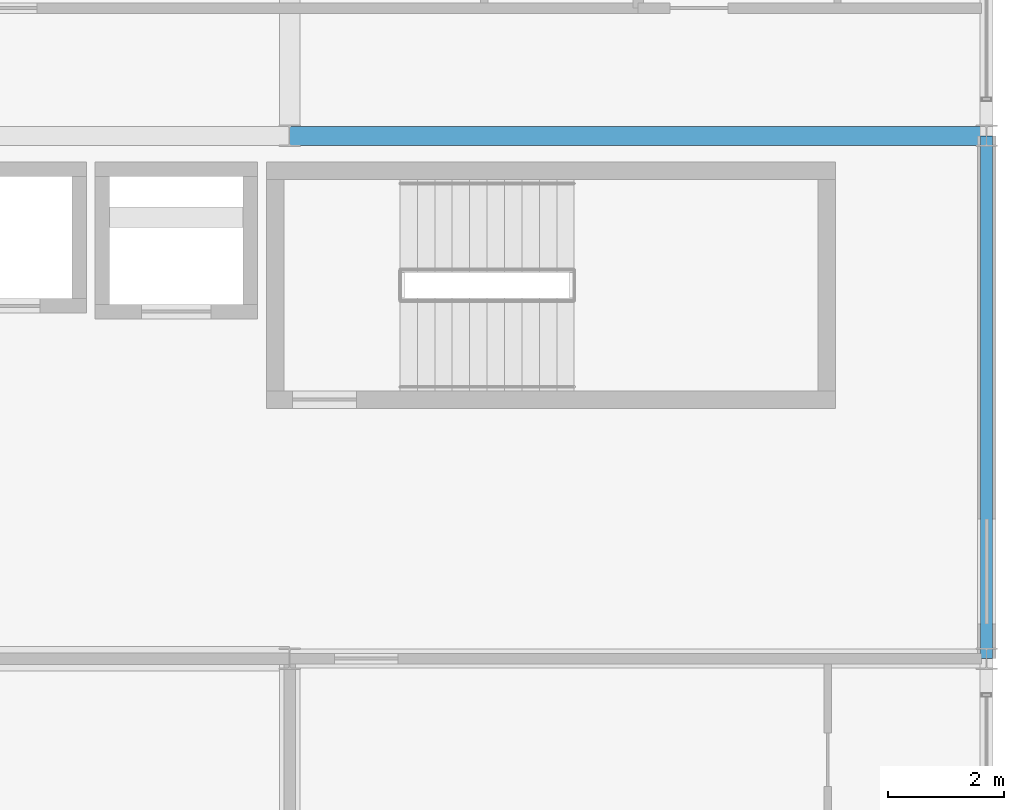
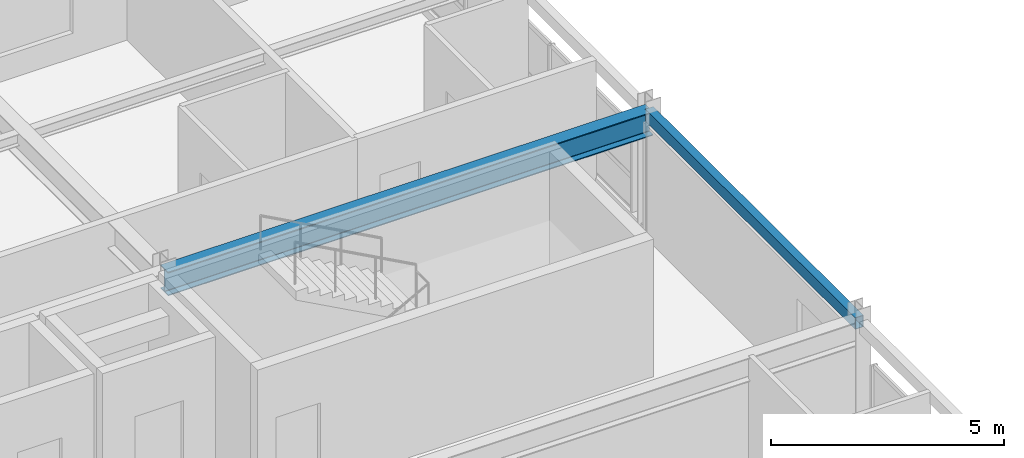
# One storey, part 12 of 22: 2 beams.
"""IFC4 building model written with IfcOpenShell, lengths in metres."""

from ifc_helpers import new_model, si_unit, direction, frame, origin, origin_2d, place, context, subcontext, project, spatial, hollow_rectangle, i_section, extrude, material, material_profile, profile_set, type_object, element, save


model = new_model("IFC4")

# Units and contexts
model_context = context("Model", 3, precision=1e-05, world=origin(), true_north=direction((0.0, 1.0)))
body_context = subcontext(model_context, "Body", "Model", "MODEL_VIEW")
ifc_project = project(units=[si_unit("LENGTHUNIT", "METRE"), si_unit("AREAUNIT", "SQUARE_METRE"), si_unit("VOLUMEUNIT", "CUBIC_METRE"), si_unit("PLANEANGLEUNIT", "RADIAN"), si_unit("MASSUNIT", "GRAM", prefix="KILO")], contexts=[model_context])

# Site, building, storey
site_placement = place(None, origin())
site = spatial("IfcSite", under=ifc_project, at=site_placement, CompositionType="ELEMENT")
building_placement = place(site_placement, origin())
building = spatial("IfcBuilding", under=site, at=building_placement, Name="Kaldorvane Square Convention Centre", CompositionType="ELEMENT")
storey_placement = place(building_placement, frame((0.0, 0.0, 67.19999694824219)))
storey = spatial("IfcBuildingStorey", under=building, at=storey_placement, Name="L16", CompositionType="ELEMENT", Elevation=67.19999694824219)

# Beams
ifc_material_1 = material(Name="Steel ASTM A992 Gr. 50", Category="steel")
ifc_material_profile_1 = material_profile(ifc_material_1, i_section(OverallWidth=0.326507568359375, OverallDepth=0.621795654296875, WebThickness=0.0153961181640625, FlangeThickness=0.0243988037109375, FilletRadius=0.0126953125, at=origin_2d()), Name="W24X131")
ifc_profile_set_1 = profile_set([ifc_material_profile_1], Name="Steel ASTM A992 Gr. 50")
beam_type_1 = type_object("IfcBeamType", Name="BM-GR-W24X131", PredefinedType="BEAM", material=ifc_profile_set_1)
beam_1_placement = place(storey_placement, frame((66.0, 105.0, 2.9651031494140625), z_axis=(1.0, 0.0, 0.0), x_axis=(0.0, 1.0, 0.0)))
element("IfcBeam", 1, at=beam_1_placement, inside=storey, type_object=beam_type_1, Name="Primary Girder (L16)", PredefinedType="BEAM", context=body_context, shape_type="SweptSolid", body=[
    extrude(i_section(OverallWidth=0.326507568359375, OverallDepth=0.621795654296875, WebThickness=0.0153961181640625, FlangeThickness=0.0243988037109375, FilletRadius=0.0126953125, at=origin_2d()), origin(), (0.0, 0.0, 1.0), 12.0),
])
ifc_material_2 = material(Name="Steel ASTM A500 Gr. C", Category="steel")
ifc_material_profile_2 = material_profile(ifc_material_2, hollow_rectangle(XDim=0.2032012939453125, YDim=0.3047943115234375, WallThickness=0.0088958740234375, at=origin_2d()), Name="HSS12X8X3/8")
ifc_profile_set_2 = profile_set([ifc_material_profile_2], Name="Steel ASTM A500 Gr. C")
beam_type_2 = type_object("IfcBeamType", Name="BM-SP-HSS12", PredefinedType="SPANDREL", material=ifc_profile_set_2)
beam_2_placement = place(storey_placement, frame((78.0, 96.0, 3.12359619140625), z_axis=(0.0, 1.0, 0.0), x_axis=(-1.0, 0.0, 0.0)))
element("IfcBeam", 2, at=beam_2_placement, inside=storey, type_object=beam_type_2, Name="End Spandrel (L16)", PredefinedType="SPANDREL", context=body_context, shape_type="SweptSolid", body=[
    extrude(hollow_rectangle(XDim=0.2032012939453125, YDim=0.3047943115234375, WallThickness=0.0088958740234375, at=origin_2d()), origin(), (0.0, 0.0, 1.0), 9.0),
])

save(model, "model.ifc")
